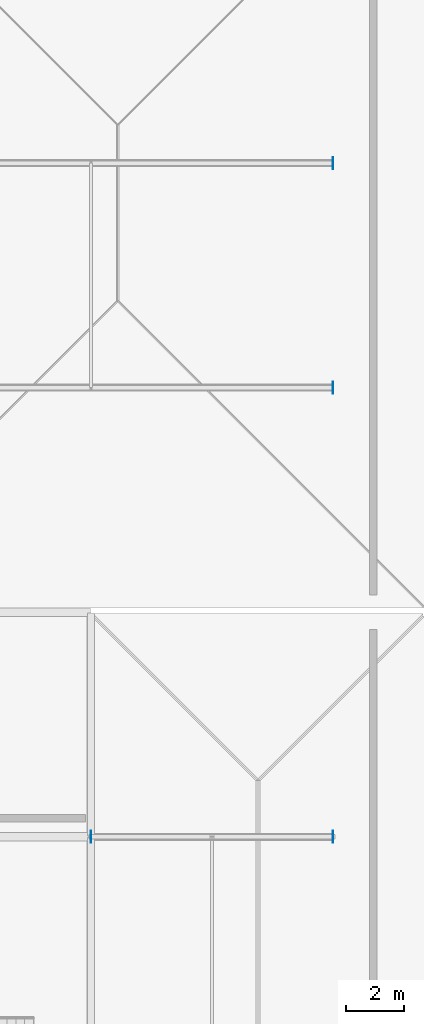
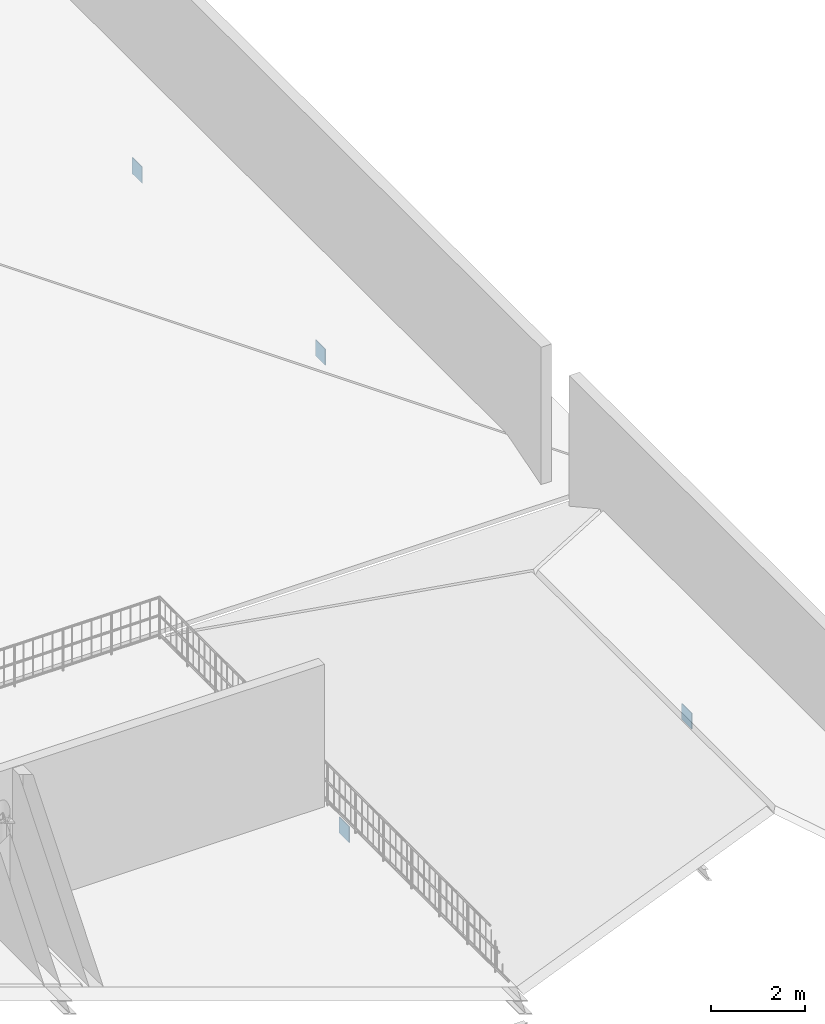
# One storey, part 6 of 16: 4 plates.
"""IFC4 building model written with IfcOpenShell, lengths in metres."""

from ifc_helpers import new_model, si_unit, direction, frame, origin, origin_2d, place, context, subcontext, project, spatial, rectangle, extrude, material, layer, layer_set, type_object, element, save


model = new_model("IFC4")

# Units and contexts
model_context = context("Model", 3, precision=1e-05, world=origin(), true_north=direction((0.0, 1.0)))
body_context = subcontext(model_context, "Body", "Model", "MODEL_VIEW")
ifc_project = project(units=[si_unit("LENGTHUNIT", "METRE"), si_unit("AREAUNIT", "SQUARE_METRE"), si_unit("VOLUMEUNIT", "CUBIC_METRE"), si_unit("PLANEANGLEUNIT", "RADIAN"), si_unit("MASSUNIT", "GRAM", prefix="KILO")], contexts=[model_context])

# Site, building, storey
site_placement = place(None, origin())
site = spatial("IfcSite", under=ifc_project, at=site_placement, CompositionType="ELEMENT")
building_placement = place(site_placement, origin())
building = spatial("IfcBuilding", under=site, at=building_placement, Name="Nabrawat Pavilion Hospital", CompositionType="ELEMENT")
storey_placement = place(building_placement, frame((0.0, 0.0, 35.10009765625)))
storey = spatial("IfcBuildingStorey", under=building, at=storey_placement, Name="Roof", CompositionType="ELEMENT", Elevation=35.10009765625)

# Plates
ifc_material = material(Name="Steel S355", Category="steel")
ifc_layer = layer(ifc_material, 0.02001953125, Name="Steel S355")
ifc_layer_set = layer_set([ifc_layer], Name="Steel S355")
plate_type = type_object("IfcPlateType", Name="Space Frame Interior Gusset Node Plate 420x420x20", PredefinedType="USERDEFINED", material=ifc_layer_set)
for number, where, z_axis, x_axis, name in (
    (1, (193.2099609375, 93.60009765625, -0.56005859375), (0.0, 0.0, 1.0), (1.0, 0.0, 0.0), "Inpatient North-East Pavilion Tie Chord End Cap Plate 01-E"),
    (2, (193.2099609375, 101.39990234375, -0.56005859375), (0.0, 0.0, 1.0), (1.0, 0.0, 0.0), "Inpatient North-East Pavilion Tie Chord End Cap Plate 02-E"),
    (3, (184.7900390625, 78.0, -0.56005859375), (0.0, 0.0, 1.0), (1.0, 0.0, 0.0), "Inpatient East Boulevard Pavilion Tie Chord End Cap Plate 03-W"),
    (4, (193.2099609375, 78.0, -0.56005859375), (0.0, 0.0, 1.0), (1.0, 0.0, 0.0), "Inpatient East Boulevard Pavilion Tie Chord End Cap Plate 03-E"),
):
    element("IfcPlate", number, at=place(storey_placement, frame(where, z_axis=z_axis, x_axis=x_axis)), inside=storey, type_object=plate_type, Name=name, ObjectType="GUSSET PLATE", PredefinedType="USERDEFINED", context=body_context, shape_type="SweptSolid", body=[
        extrude(rectangle(XDim=0.02001953125, YDim=0.419921875, at=origin_2d()), origin(), (0.0, 0.0, 1.0), 0.419921875),
    ])

save(model, "model.ifc")
